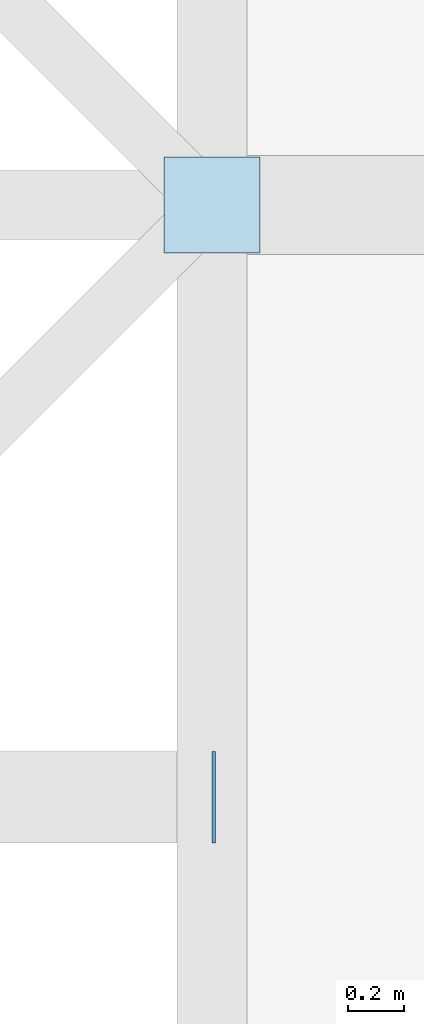
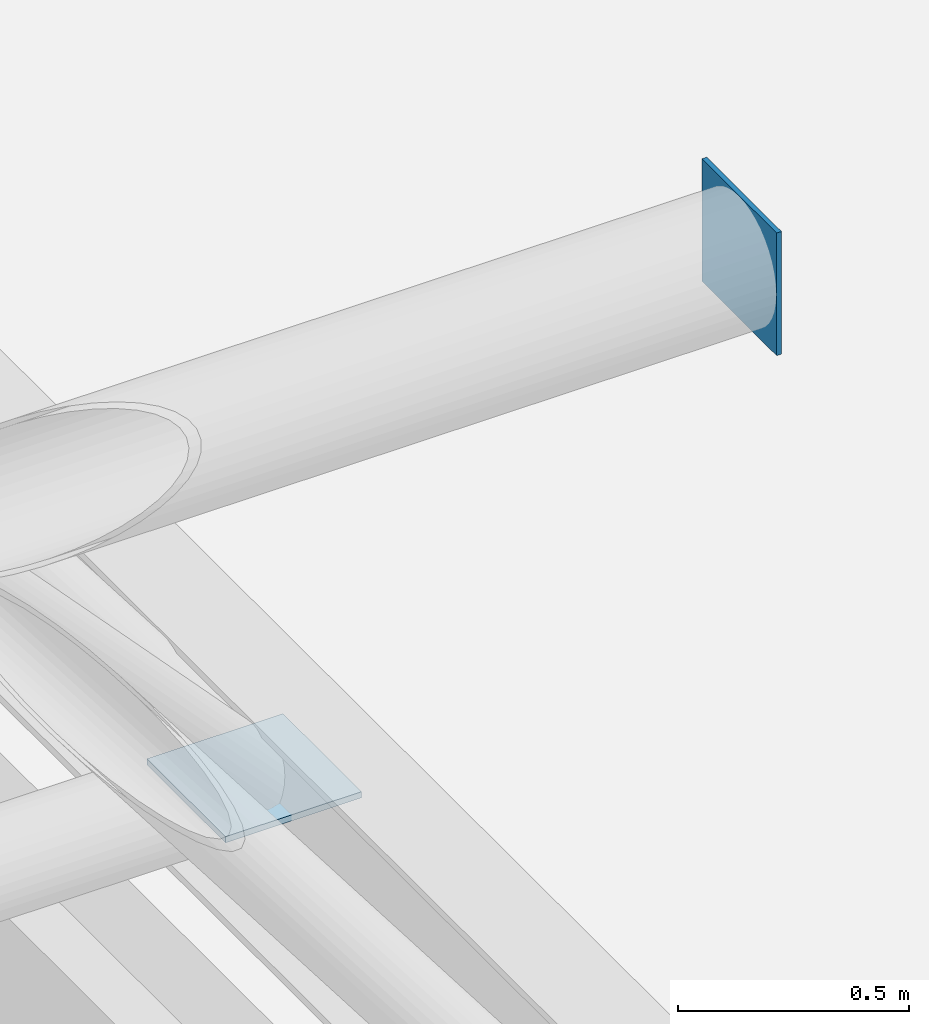
# One storey, part 45 of 64: 2 plates.
"""IFC4 building model written with IfcOpenShell, lengths in metres."""

import ifcopenshell
import ifcopenshell.guid

model = None  # the IFC model being written
_history = None  # IfcOwnerHistory: only IFC2X3 demands one
_inside = {}  # id of a spatial element -> (the spatial element, [elements in it])
_under = {}  # id of a project, library or spatial element -> (it, [spatial elements below it])
_declared = {}  # id of a project -> (the project, [libraries it declares])
_typed = {}  # id of a type object -> (the type object, [elements of that type])
_made_of = {}  # id of a material, layer set ... -> (it, [elements and type objects made of it])


def new_model(schema):
    """Start an empty IFC model of exactly this schema.

    Asked for "IFC4X3", IfcOpenShell would pick the latest addendum, in which some entities
    have other attributes; the version numbers below select the first issue.
    IFC2X3 requires an IfcOwnerHistory on every rooted entity: one is made here for all.
    """
    global model, _history
    if schema == "IFC4X3":
        model = ifcopenshell.file(schema_version=(4, 3, 0, 0))
    else:
        model = ifcopenshell.file(schema=schema)
    _inside.clear()
    _under.clear()
    _declared.clear()
    _typed.clear()
    _made_of.clear()
    _history = None
    if model.schema == "IFC2X3":
        org = make("IfcOrganization", Name="unknown")
        user = make(
            "IfcPersonAndOrganization",
            ThePerson=make("IfcPerson", FamilyName="unknown"),
            TheOrganization=org,
        )
        app = make(
            "IfcApplication",
            ApplicationDeveloper=org,
            Version="unknown",
            ApplicationFullName="unknown",
            ApplicationIdentifier="unknown",
        )
        _history = make(
            "IfcOwnerHistory",
            OwningUser=user,
            OwningApplication=app,
            ChangeAction="ADDED",
            CreationDate=0,
        )
    return model


def make(cls, **values):
    """One entity of the class cls with the attributes given. An attribute that is None is left unset."""
    return model.create_entity(
        cls, **{name: value for name, value in values.items() if value is not None}
    )


def rooted(cls, **values):
    """An entity with a GlobalId (a new one), such as an element, a storey or a relation."""
    return make(cls, GlobalId=ifcopenshell.guid.new(), OwnerHistory=_history, **values)


def si_unit(unit_type, name, prefix=None):
    """IfcSIUnit, for example si_unit("LENGTHUNIT", "METRE", prefix="MILLI")."""
    return make("IfcSIUnit", UnitType=unit_type, Prefix=prefix, Name=name)


def derived_unit(unit_type, elements):
    """IfcDerivedUnit: a product of units, each with its exponent."""
    return make(
        "IfcDerivedUnit",
        Elements=[
            make("IfcDerivedUnitElement", Unit=unit, Exponent=power)
            for unit, power in elements
        ],
        UnitType=unit_type,
    )


def assignment(units):
    """IfcUnitAssignment: the units of a project."""
    return None if units is None else make("IfcUnitAssignment", Units=units)


def point(xyz):
    """IfcCartesianPoint."""
    return None if xyz is None else make("IfcCartesianPoint", Coordinates=xyz)


def direction(xyz):
    """IfcDirection."""
    return None if xyz is None else make("IfcDirection", DirectionRatios=xyz)


def frame(location, z_axis=None, x_axis=None):
    """IfcAxis2Placement3D, a coordinate frame: its origin and axes. An axis left out is left unset."""
    return make(
        "IfcAxis2Placement3D",
        Location=point(location),
        Axis=direction(z_axis),
        RefDirection=direction(x_axis),
    )


def frame_2d(location, x_axis=None):
    """IfcAxis2Placement2D, a coordinate frame in the plane: its origin and x axis."""
    return make(
        "IfcAxis2Placement2D", Location=point(location), RefDirection=direction(x_axis)
    )


def origin():
    """The frame at (0, 0, 0) with its axes left unset."""
    return frame((0.0, 0.0, 0.0))


def origin_2d():
    """The frame at (0, 0) in the plane with its x axis left unset."""
    return frame_2d((0.0, 0.0))


def place(relative_to, where):
    """IfcLocalPlacement: puts the frame where relative to a parent placement (None: the world)."""
    return make(
        "IfcLocalPlacement", PlacementRelTo=relative_to, RelativePlacement=where
    )


def context(
    kind, dimensions, precision=None, world=None, true_north=None, identifier=None
):
    """IfcGeometricRepresentationContext, for example the 3D "Model" context."""
    return make(
        "IfcGeometricRepresentationContext",
        ContextIdentifier=identifier,
        ContextType=kind,
        CoordinateSpaceDimension=dimensions,
        Precision=precision,
        WorldCoordinateSystem=world,
        TrueNorth=true_north,
    )


def subcontext(parent, identifier, kind, view, scale=None):
    """IfcGeometricRepresentationSubContext, for example "Body" below "Model"."""
    return make(
        "IfcGeometricRepresentationSubContext",
        ContextIdentifier=identifier,
        ContextType=kind,
        ParentContext=parent,
        TargetScale=scale,
        TargetView=view,
    )


def project(units=None, contexts=None):
    """IfcProject with its units and contexts."""
    return rooted(
        "IfcProject",
        Name="project",
        RepresentationContexts=contexts,
        UnitsInContext=assignment(units),
    )


def spatial(cls, under=None, at=None, **own):
    """A site, building, storey or space (cls), placed at a placement, below another one or the project."""
    s = rooted(cls, ObjectPlacement=at, **own)
    if under is not None:
        _under.setdefault(under.id(), (under, []))[1].append(s)
    return s


def profile(cls, at=None, kind="AREA", **sizes):
    """A parametric profile (cls). Its sizes go by their IFC names, for example OverallWidth=200.0."""
    return make(cls, ProfileType=kind, Position=at, **sizes)


def rectangle(**sizes):
    """IfcRectangleProfileDef."""
    return profile("IfcRectangleProfileDef", **sizes)


def extrude(swept, where, along, depth):
    """IfcExtrudedAreaSolid: the profile swept, set in the frame where, extruded along a direction by depth."""
    return make(
        "IfcExtrudedAreaSolid",
        SweptArea=swept,
        Position=where,
        ExtrudedDirection=direction(along),
        Depth=depth,
    )


def shape(context_of_items, identifier, shape_type, items):
    """IfcShapeRepresentation: the items that make up one representation, for example the "Body"."""
    return make(
        "IfcShapeRepresentation",
        ContextOfItems=context_of_items,
        RepresentationIdentifier=identifier,
        RepresentationType=shape_type,
        Items=items,
    )


def material(Name=None, Category=None):
    """IfcMaterial."""
    return make("IfcMaterial", Name=Name, Category=Category)


def layer(
    of_material, thickness, ventilated=None, Name=None, Category=None, Priority=None
):
    """IfcMaterialLayer: one layer of a wall or slab, of a material (None: an air gap)."""
    return make(
        "IfcMaterialLayer",
        Material=of_material,
        LayerThickness=thickness,
        IsVentilated=ventilated,
        Name=Name,
        Category=Category,
        Priority=Priority,
    )


def layer_set(layers, Name=None):
    """IfcMaterialLayerSet."""
    return make("IfcMaterialLayerSet", MaterialLayers=layers, LayerSetName=Name)


def made_of(thing, what):
    """Note that an element or type object is made of a material, layer set ...; save() writes the relation."""
    if what is not None:
        _made_of.setdefault(what.id(), (what, []))[1].append(thing)
    return thing


def type_object(cls, material=None, **own):
    """A type object (cls), such as IfcWallType, which elements share."""
    return made_of(rooted(cls, **own), material)


def element(
    cls,
    number,
    at=None,
    inside=None,
    cuts=None,
    type_object=None,
    material=None,
    context=None,
    identifier="Body",
    shape_type=None,
    held_by="IfcProductDefinitionShape",
    body=None,
    shapes=None,
    **own,
):
    """One element of the class cls, such as IfcWall. Its Tag is "e" and its number.

    at: its placement. inside: the storey or other place that contains it. cuts: it is an
    opening in that element (IfcRelVoidsElement). A single representation is given by context,
    identifier, shape_type and body (its items); several are given by shapes. held_by: the class
    of the entity that holds the representations. save() writes the other relations.
    """
    e = rooted(cls, Tag="e%d" % number, ObjectPlacement=at, **own)
    if body is not None:
        shapes = [shape(context, identifier, shape_type, body)]
    if shapes is not None:
        e.Representation = make(held_by, Representations=shapes)
    if inside is not None:
        _inside.setdefault(inside.id(), (inside, []))[1].append(e)
    if cuts is not None:
        rooted(
            "IfcRelVoidsElement", RelatingBuildingElement=cuts, RelatedOpeningElement=e
        )
    if type_object is not None:
        _typed.setdefault(type_object.id(), (type_object, []))[1].append(e)
    return made_of(e, material)


def aggregate(whole, parts):
    """IfcRelAggregates: a whole, such as a stair, and the parts it consists of."""
    return rooted("IfcRelAggregates", RelatingObject=whole, RelatedObjects=parts)


def save(model, path):
    """Write the relations noted so far, then the file.

    IfcRelAggregates (storeys below a building ...), IfcRelContainedInSpatialStructure (elements
    in a storey), IfcRelDefinesByType, IfcRelAssociatesMaterial and IfcRelDeclares: one each for
    every whole, place, type object, material and project.
    """
    for whole, parts in _under.values():
        aggregate(whole, parts)
    for where, things in _inside.values():
        rooted(
            "IfcRelContainedInSpatialStructure",
            RelatedElements=things,
            RelatingStructure=where,
        )
    for kind, things in _typed.values():
        rooted("IfcRelDefinesByType", RelatedObjects=things, RelatingType=kind)
    for what, things in _made_of.values():
        rooted("IfcRelAssociatesMaterial", RelatedObjects=things, RelatingMaterial=what)
    for by, libraries in _declared.values():
        rooted("IfcRelDeclares", RelatingContext=by, RelatedDefinitions=libraries)
    model.write(path)


model = new_model("IFC4")

# Units and contexts
model_context = context("Model", 3, precision=1e-05, world=origin(), true_north=direction((0.0, 1.0)))
body_context = subcontext(model_context, "Body", "Model", "MODEL_VIEW")
ifc_project = project(units=[si_unit("LENGTHUNIT", "METRE"), si_unit("AREAUNIT", "SQUARE_METRE"), si_unit("VOLUMEUNIT", "CUBIC_METRE"), si_unit("PLANEANGLEUNIT", "RADIAN"), si_unit("MASSUNIT", "GRAM", prefix="KILO"), derived_unit("THERMALTRANSMITTANCEUNIT", [(si_unit("POWERUNIT", "WATT"), 1), (si_unit("LENGTHUNIT", "METRE"), -2), (si_unit("THERMODYNAMICTEMPERATUREUNIT", "KELVIN"), -1)])], contexts=[model_context])

# Site, building, storey
site_placement = place(None, origin())
site = spatial("IfcSite", under=ifc_project, at=site_placement, CompositionType="ELEMENT")
building_placement = place(site_placement, origin())
building = spatial("IfcBuilding", under=site, at=building_placement, Name="Barrovel Congress Hotel", CompositionType="ELEMENT")
storey_placement = place(building_placement, frame((0.0, 0.0, 14.10009765625)))
storey = spatial("IfcBuildingStorey", under=building, at=storey_placement, Name="L03", CompositionType="ELEMENT", Elevation=14.10009765625)

# Plates
ifc_material = material(Name="Steel ASTM A992 Grade 50", Category="steel")
ifc_layer_1 = layer(ifc_material, 0.011962890625)
ifc_layer_set_1 = layer_set([ifc_layer_1], Name="Steel ASTM A992 Grade 50")
plate_type_1 = type_object("IfcPlateType", Name="EC-12", PredefinedType="SHEET", material=ifc_layer_set_1)
plate_1_placement = place(storey_placement, frame((33.60595703125, 65.10009765625, 3.087890625), z_axis=(0.0, 0.0, 1.0), x_axis=(1.0, 0.0, 0.0)))
element("IfcPlate", 1, at=plate_1_placement, inside=storey, type_object=plate_type_1, Name="End Cap Plate SF-TCX:6 end", PredefinedType="SHEET", context=body_context, shape_type="SweptSolid", body=[
    extrude(rectangle(XDim=0.011962890625, YDim=0.323974609375, at=origin_2d()), origin(), (0.0, 0.0, 1.0), 0.323974609375),
])
ifc_layer_2 = layer(ifc_material, 0.01611328125)
ifc_layer_set_2 = layer_set([ifc_layer_2], Name="Steel ASTM A992 Grade 50")
plate_type_2 = type_object("IfcPlateType", Name="GP-16", PredefinedType="SHEET", material=ifc_layer_set_2)
plate_2_placement = place(storey_placement, frame((33.60009765625, 67.199951171875, 0.591796875), z_axis=(0.0, 0.0, 1.0), x_axis=(1.0, 0.0, 0.0)))
element("IfcPlate", 2, at=plate_2_placement, inside=storey, type_object=plate_type_2, Name="Space Frame Bottom Node Gusset Plate 8-7", PredefinedType="SHEET", context=body_context, shape_type="SweptSolid", body=[
    extrude(rectangle(XDim=0.340087890625, YDim=0.340087890625, at=origin_2d()), origin(), (0.0, 0.0, 1.0), 0.01611328125),
])

save(model, "model.ifc")
